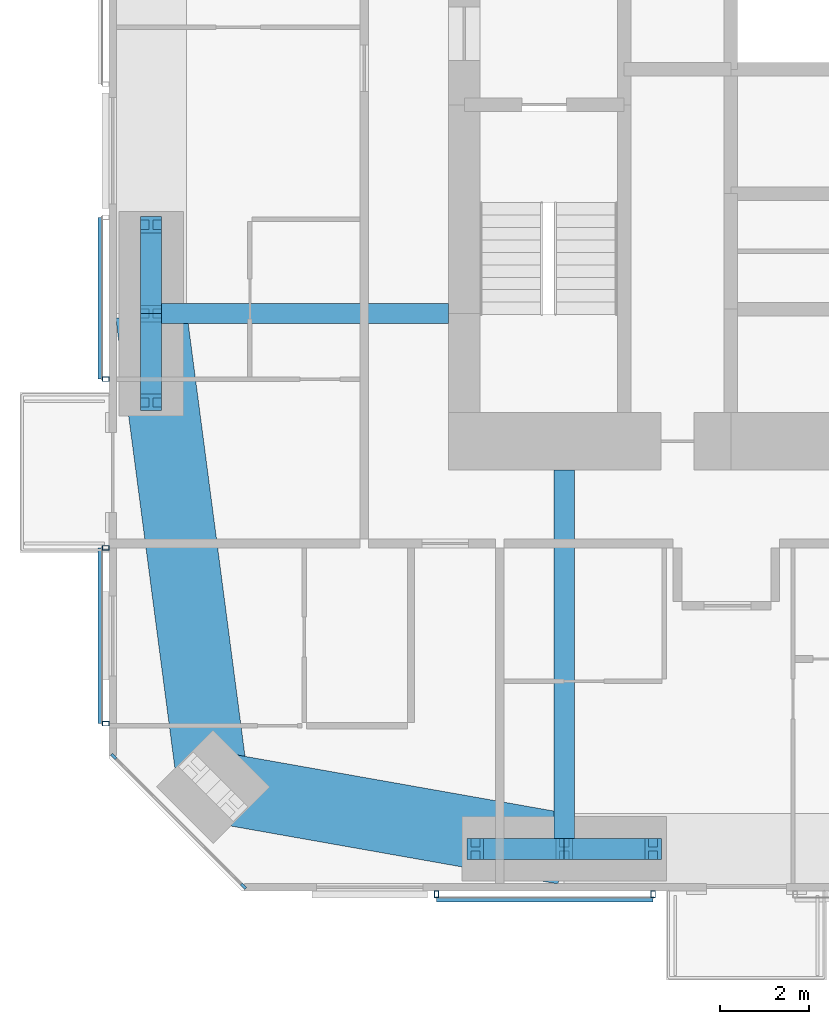
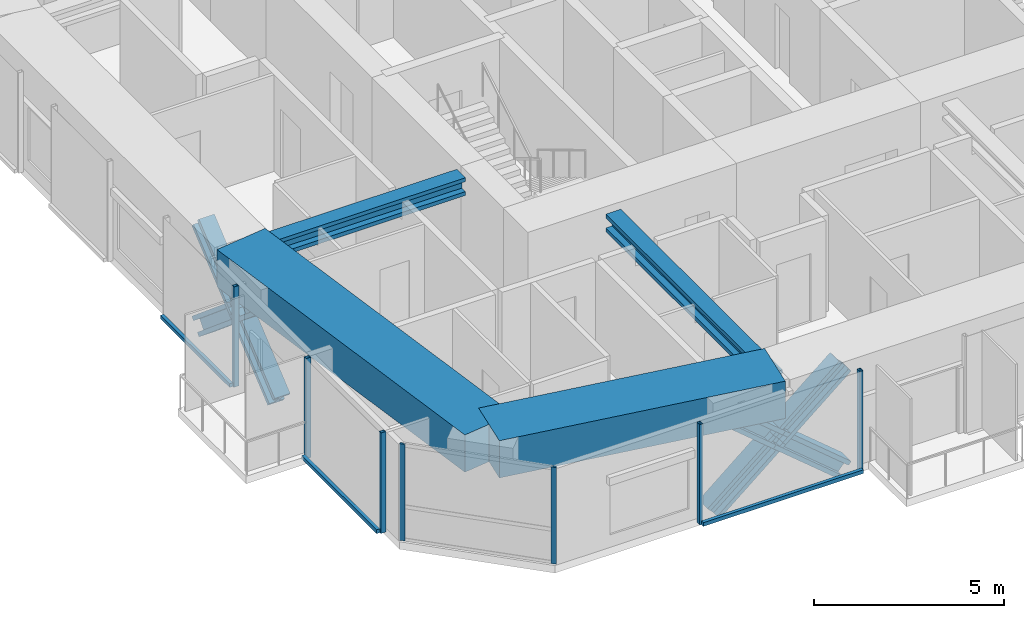
# One storey, part 2 of 22: 18 members, 4 beams, 4 elements without a shape of their own.
"""IFC4 building model written with IfcOpenShell, lengths in metres."""

from ifc_helpers import new_model, si_unit, direction, frame, origin, origin_2d, place, context, subcontext, project, spatial, rectangle, hollow_rectangle, i_section, extrude, material, material_profile, profile_set, type_object, element, aggregate, save


model = new_model("IFC4")

# Units and contexts
model_context = context("Model", 3, precision=1e-05, world=origin(), true_north=direction((0.0, 1.0)))
body_context = subcontext(model_context, "Body", "Model", "MODEL_VIEW")
ifc_project = project(units=[si_unit("LENGTHUNIT", "METRE"), si_unit("AREAUNIT", "SQUARE_METRE"), si_unit("VOLUMEUNIT", "CUBIC_METRE"), si_unit("PLANEANGLEUNIT", "RADIAN"), si_unit("MASSUNIT", "GRAM", prefix="KILO")], contexts=[model_context])

# Site, building, storey
site_placement = place(None, origin())
site = spatial("IfcSite", under=ifc_project, at=site_placement, CompositionType="ELEMENT")
building_placement = place(site_placement, origin())
building = spatial("IfcBuilding", under=site, at=building_placement, Name="Jalousie Tower", CompositionType="ELEMENT")
storey_placement = place(building_placement, frame((0.0, 0.0, 161.050048828125)))
storey = spatial("IfcBuildingStorey", under=building, at=storey_placement, Name="L43", CompositionType="ELEMENT", Elevation=161.050048828125)

# Curtain wall, members
ifc_material_1 = material(Name="Aluminium curtain wall", Category="aluminium")
curtain_wall_type_1 = type_object("IfcCurtainWallType", Name="CORNER WINDOW WALL", PredefinedType="USERDEFINED", material=ifc_material_1)
curtain_wall_1_placement = place(storey_placement, origin())
curtain_wall_1 = element("IfcCurtainWall", 1, at=curtain_wall_1_placement, inside=storey, type_object=curtain_wall_type_1, Name="Corner Window Wall L43 8", ObjectType="CORNER WINDOW WALL", PredefinedType="USERDEFINED")
ifc_material_2 = material(Name="Aluminium mullion", Category="aluminium")
ifc_material_profile_1 = material_profile(ifc_material_2, rectangle(XDim=0.06005859375, YDim=0.14990234375, at=origin_2d()), Name="MULLION 60x150")
ifc_profile_set_1 = profile_set([ifc_material_profile_1], Name="Aluminium mullion")
member_type_1 = type_object("IfcMemberType", Name="CORNER WINDOW WALL MULLION", PredefinedType="MULLION", material=ifc_profile_set_1)
member_1_placement = place(storey_placement, frame((12.108642578125, 3.030029296875, 0.0), z_axis=(0.0, 0.0, 1.0), x_axis=(0.707106781187, 0.707106781187, 0.0)))
member_1 = element("IfcMember", 2, at=member_1_placement, type_object=member_type_1, Name="CW-C mullion 1", PredefinedType="MULLION", context=body_context, shape_type="SweptSolid", body=[
    extrude(rectangle(XDim=0.06005859375, YDim=0.14990234375, at=origin_2d()), origin(), (0.0, 0.0, 1.0), 3.10986328125),
])
member_2_placement = place(storey_placement, frame((15.030029296875, 0.108642578125, 0.0), z_axis=(0.0, 0.0, 1.0), x_axis=(0.707106781187, 0.707106781187, 0.0)))
member_2 = element("IfcMember", 3, at=member_2_placement, type_object=member_type_1, Name="CW-C mullion 2", PredefinedType="MULLION", context=body_context, shape_type="SweptSolid", body=[
    extrude(rectangle(XDim=0.06005859375, YDim=0.14990234375, at=origin_2d()), origin(), (0.0, 0.0, 1.0), 3.10986328125),
])
aggregate(curtain_wall_1, [member_1, member_2])

# Beams
ifc_material_3 = material(Name="Steel ASTM A992 Grade 50", Category="steel")
ifc_material_profile_2 = material_profile(ifc_material_3, i_section(OverallWidth=0.45458984375, OverallDepth=0.569091796875, WebThickness=0.077880859375, FlangeThickness=0.124755859375, at=origin_2d()), Name="W14X730")
ifc_profile_set_2 = profile_set([ifc_material_profile_2], Name="Steel ASTM A992 Grade 50")
beam_type_1 = type_object("IfcBeamType", Name="LEAN COLLECTOR W14X730", PredefinedType="BEAM", material=ifc_profile_set_2)
beam_1_placement = place(storey_placement, frame((12.949951171875, 13.0, 2.825439453125), z_axis=(1.0, 0.0, 0.0), x_axis=(0.0, 1.0, 0.0)))
element("IfcBeam", 4, at=beam_1_placement, inside=storey, type_object=beam_type_1, Name="Lean collector under L44", PredefinedType="BEAM", context=body_context, shape_type="SweptSolid", body=[
    extrude(i_section(OverallWidth=0.45458984375, OverallDepth=0.569091796875, WebThickness=0.077880859375, FlangeThickness=0.124755859375, at=origin_2d()), origin(), (0.0, 0.0, 1.0), 6.699951171875),
])
beam_2_placement = place(storey_placement, frame((22.25, 0.949951171875, 2.825439453125), z_axis=(0.0, 1.0, 0.0), x_axis=(-1.0, 0.0, 0.0)))
element("IfcBeam", 5, at=beam_2_placement, inside=storey, type_object=beam_type_1, Name="Lean collector under L44", PredefinedType="BEAM", context=body_context, shape_type="SweptSolid", body=[
    extrude(i_section(OverallWidth=0.45458984375, OverallDepth=0.569091796875, WebThickness=0.077880859375, FlangeThickness=0.124755859375, at=origin_2d()), origin(), (0.0, 0.0, 1.0), 8.525146484375),
])

# Members
ifc_material_4 = material(Name="Steel ASTM A992 Grade 50", Category="steel")
ifc_material_profile_3 = material_profile(ifc_material_4, i_section(OverallWidth=0.472412109375, OverallDepth=0.5791015625, WebThickness=0.094970703125, FlangeThickness=0.1298828125, at=origin_2d()), Name="W14X808")
ifc_profile_set_3 = profile_set([ifc_material_profile_3], Name="Steel ASTM A992 Grade 50")
member_type_2 = type_object("IfcMemberType", Name="PERIMETER BRACE W14X808", PredefinedType="BRACE", material=ifc_profile_set_3)
for number, where, z_axis, x_axis, name in (
    (6, (20.25, 0.949951171875, -0.60009765625), (0.766638753323, 0.0, 0.642078672674), (0.0, 1.0, 0.0), "Perimeter brace 02 L43 part 1"),
    (7, (22.25, 0.949951171875, 1.074951171875), (0.766638753323, 0.0, 0.642078672674), (0.0, 1.0, 0.0), "Perimeter brace 02 L43 part 2"),
    (8, (24.25, 0.949951171875, -0.60009765625), (-0.766638753323, 0.0, 0.642078672674), (0.0, -1.0, 0.0), "Perimeter brace 02 L43 part 3"),
    (9, (22.25, 0.949951171875, 1.074951171875), (-0.766638753323, 0.0, 0.642078672674), (0.0, -1.0, 0.0), "Perimeter brace 02 L43 part 4"),
    (10, (12.949951171875, 11.0, -0.60009765625), (0.0, 0.766638753323, 0.642078672674), (-1.0, 0.0, 0.0), "Perimeter brace 14 L43 part 1"),
    (11, (12.949951171875, 13.0, 1.074951171875), (0.0, 0.766638753323, 0.642078672674), (-1.0, 0.0, 0.0), "Perimeter brace 14 L43 part 2"),
    (12, (12.949951171875, 15.0, -0.60009765625), (0.0, -0.766638753323, 0.642078672674), (1.0, 0.0, 0.0), "Perimeter brace 14 L43 part 3"),
    (13, (12.949951171875, 13.0, 1.074951171875), (0.0, -0.766638753323, 0.642078672674), (1.0, 0.0, 0.0), "Perimeter brace 14 L43 part 4"),
):
    element("IfcMember", number, at=place(storey_placement, frame(where, z_axis=z_axis, x_axis=x_axis)), inside=storey, type_object=member_type_2, Name=name, PredefinedType="BRACE", context=body_context, shape_type="SweptSolid", body=[
        extrude(i_section(OverallWidth=0.472412109375, OverallDepth=0.5791015625, WebThickness=0.094970703125, FlangeThickness=0.1298828125, at=origin_2d()), origin(), (0.0, 0.0, 1.0), 2.60888671875),
    ])

# Beams
ifc_material_5 = material(Name="Concrete f'c 40 MPa", Category="concrete")
ifc_material_profile_4 = material_profile(ifc_material_5, rectangle(XDim=1.60009765625, YDim=1.199951171875, at=origin_2d()), Name="RC 1600x1200")
ifc_profile_set_4 = profile_set([ifc_material_profile_4], Name="Concrete f'c 40 MPa")
beam_type_2 = type_object("IfcBeamType", Name="RC BEAM 1600x1200", PredefinedType="BEAM", material=ifc_profile_set_4)
beam_3_placement = place(storey_placement, frame((14.348388671875, 2.348388671875, 2.75), z_axis=(0.984697370688, -0.174273027632, 0.0), x_axis=(0.174273027632, 0.984697370688, 0.0)))
element("IfcBeam", 14, at=beam_3_placement, inside=storey, type_object=beam_type_2, Name="Edge band beam 01-02 under L44", PredefinedType="BEAM", context=body_context, shape_type="SweptSolid", body=[
    extrude(rectangle(XDim=1.60009765625, YDim=1.199951171875, at=origin_2d()), origin(), (0.0, 0.0, 1.0), 8.0244140625),
])
beam_4_placement = place(storey_placement, frame((12.949951171875, 13.0, 2.75), z_axis=(0.130171745558, -0.991491460709, 0.0), x_axis=(0.991491460709, 0.130171745558, 0.0)))
element("IfcBeam", 15, at=beam_4_placement, inside=storey, type_object=beam_type_2, Name="Edge band beam 14-01 under L44", PredefinedType="BEAM", context=body_context, shape_type="SweptSolid", body=[
    extrude(rectangle(XDim=1.60009765625, YDim=1.199951171875, at=origin_2d()), origin(), (0.0, 0.0, 1.0), 10.742919921875),
])

# Curtain wall, members
ifc_material_6 = material(Name="Perforated aluminium sheet", Category="aluminium")
curtain_wall_type_2 = type_object("IfcCurtainWallType", Name="SOLAR SCREEN SS-1", PredefinedType="USERDEFINED", material=ifc_material_6)
curtain_wall_2_placement = place(storey_placement, origin())
curtain_wall_2 = element("IfcCurtainWall", 16, at=curtain_wall_2_placement, inside=storey, type_object=curtain_wall_type_2, Name="Solar screen L43", ObjectType="SOLAR SCREEN SS-1", PredefinedType="USERDEFINED")
ifc_material_7 = material(Name="Steel ASTM A500 Grade C", Category="steel")
ifc_material_profile_5 = material_profile(ifc_material_7, hollow_rectangle(XDim=0.1015625, YDim=0.15234375, WallThickness=0.00634765625, at=origin_2d()), Name="HSS6X4X1/4")
ifc_profile_set_5 = profile_set([ifc_material_profile_5], Name="Steel ASTM A500 Grade C")
member_type_3 = type_object("IfcMemberType", Name="SOLAR SCREEN SS-1 MULLION", PredefinedType="MULLION", material=ifc_profile_set_5)
member_3_placement = place(storey_placement, frame((19.375732421875, -0.0712890625, -0.1201171875), z_axis=(0.0, 0.0, 1.0), x_axis=(1.0, 0.0, 0.0)))
member_3 = element("IfcMember", 17, at=member_3_placement, type_object=member_type_3, Name="SS1 post 1", PredefinedType="MULLION", context=body_context, shape_type="SweptSolid", body=[
    extrude(hollow_rectangle(XDim=0.1015625, YDim=0.15234375, WallThickness=0.00634765625, at=origin_2d()), origin(), (0.0, 0.0, 1.0), 3.22998046875),
])
member_4_placement = place(storey_placement, frame((24.25, -0.0712890625, -0.1201171875), z_axis=(0.0, 0.0, 1.0), x_axis=(1.0, 0.0, 0.0)))
member_4 = element("IfcMember", 18, at=member_4_placement, type_object=member_type_3, Name="SS1 post 2", PredefinedType="MULLION", context=body_context, shape_type="SweptSolid", body=[
    extrude(hollow_rectangle(XDim=0.1015625, YDim=0.15234375, WallThickness=0.00634765625, at=origin_2d()), origin(), (0.0, 0.0, 1.0), 3.22998046875),
])

# Curtain wall, member
curtain_wall_3_placement = place(storey_placement, origin())
curtain_wall_3 = element("IfcCurtainWall", 19, at=curtain_wall_3_placement, inside=storey, type_object=curtain_wall_type_2, Name="Solar screen L43", ObjectType="SOLAR SCREEN SS-1", PredefinedType="USERDEFINED")
member_5_placement = place(storey_placement, frame((11.9287109375, 11.52490234375, -0.1201171875), z_axis=(0.0, 0.0, 1.0), x_axis=(0.0, -1.0, 0.0)))
member_5 = element("IfcMember", 20, at=member_5_placement, type_object=member_type_3, Name="SS1 post 2", PredefinedType="MULLION", context=body_context, shape_type="SweptSolid", body=[
    extrude(hollow_rectangle(XDim=0.1015625, YDim=0.15234375, WallThickness=0.00634765625, at=origin_2d()), origin(), (0.0, 0.0, 1.0), 3.22998046875),
])

# Curtain wall, members
curtain_wall_4_placement = place(storey_placement, origin())
curtain_wall_4 = element("IfcCurtainWall", 21, at=curtain_wall_4_placement, inside=storey, type_object=curtain_wall_type_2, Name="Solar screen L43", ObjectType="SOLAR SCREEN SS-1", PredefinedType="USERDEFINED")
member_6_placement = place(storey_placement, frame((11.9287109375, 7.72509765625, -0.1201171875), z_axis=(0.0, 0.0, 1.0), x_axis=(0.0, -1.0, 0.0)))
member_6 = element("IfcMember", 22, at=member_6_placement, type_object=member_type_3, Name="SS1 post 1", PredefinedType="MULLION", context=body_context, shape_type="SweptSolid", body=[
    extrude(hollow_rectangle(XDim=0.1015625, YDim=0.15234375, WallThickness=0.00634765625, at=origin_2d()), origin(), (0.0, 0.0, 1.0), 3.22998046875),
])
member_7_placement = place(storey_placement, frame((11.9287109375, 3.771240234375, -0.1201171875), z_axis=(0.0, 0.0, 1.0), x_axis=(0.0, -1.0, 0.0)))
member_7 = element("IfcMember", 23, at=member_7_placement, type_object=member_type_3, Name="SS1 post 2", PredefinedType="MULLION", context=body_context, shape_type="SweptSolid", body=[
    extrude(hollow_rectangle(XDim=0.1015625, YDim=0.15234375, WallThickness=0.00634765625, at=origin_2d()), origin(), (0.0, 0.0, 1.0), 3.22998046875),
])

# Member
ifc_material_8 = material(Name="Extruded aluminium screen rail", Category="aluminium")
ifc_material_profile_6 = material_profile(ifc_material_8, rectangle(XDim=0.1015625, YDim=0.1201171875, at=origin_2d()), Name="RAIL 102x120")
ifc_profile_set_6 = profile_set([ifc_material_profile_6], Name="Extruded aluminium screen rail")
member_type_4 = type_object("IfcMemberType", Name="SOLAR SCREEN SS-1 TRANSOM", PredefinedType="USERDEFINED", material=ifc_profile_set_6)
member_8_placement = place(storey_placement, frame((19.375732421875, -0.1982421875, -0.06005859375), z_axis=(1.0, 0.0, 0.0), x_axis=(0.0, 1.0, 0.0)))
member_8 = element("IfcMember", 24, at=member_8_placement, type_object=member_type_4, Name="SS1 rail", ObjectType="TRANSOM", PredefinedType="USERDEFINED", context=body_context, shape_type="SweptSolid", body=[
    extrude(rectangle(XDim=0.1015625, YDim=0.1201171875, at=origin_2d()), origin(), (0.0, 0.0, 1.0), 4.874267578125),
])

aggregate(curtain_wall_2, [member_3, member_4, member_8])

member_9_placement = place(storey_placement, frame((11.8017578125, 15.166015625, -0.06005859375), z_axis=(0.0, -1.0, 0.0), x_axis=(1.0, 0.0, 0.0)))
member_9 = element("IfcMember", 25, at=member_9_placement, type_object=member_type_4, Name="SS1 rail", ObjectType="TRANSOM", PredefinedType="USERDEFINED", context=body_context, shape_type="SweptSolid", body=[
    extrude(rectangle(XDim=0.1015625, YDim=0.1201171875, at=origin_2d()), origin(), (0.0, 0.0, 1.0), 3.64111328125),
])

aggregate(curtain_wall_3, [member_5, member_9])

member_10_placement = place(storey_placement, frame((11.8017578125, 7.72509765625, -0.06005859375), z_axis=(0.0, -1.0, 0.0), x_axis=(1.0, 0.0, 0.0)))
member_10 = element("IfcMember", 26, at=member_10_placement, type_object=member_type_4, Name="SS1 rail", ObjectType="TRANSOM", PredefinedType="USERDEFINED", context=body_context, shape_type="SweptSolid", body=[
    extrude(rectangle(XDim=0.1015625, YDim=0.1201171875, at=origin_2d()), origin(), (0.0, 0.0, 1.0), 3.953857421875),
])

aggregate(curtain_wall_4, [member_6, member_7, member_10])

save(model, "model.ifc")
